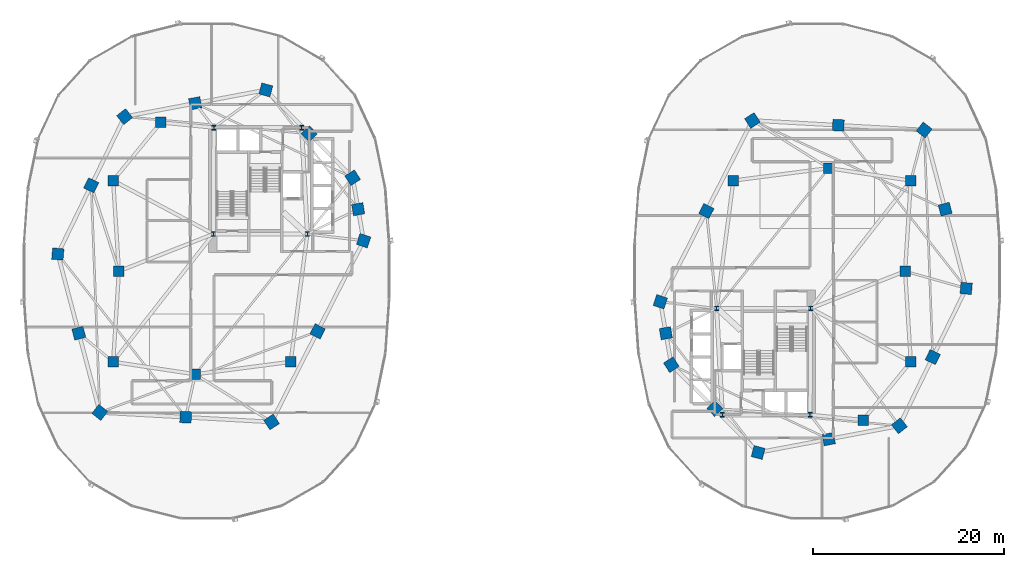
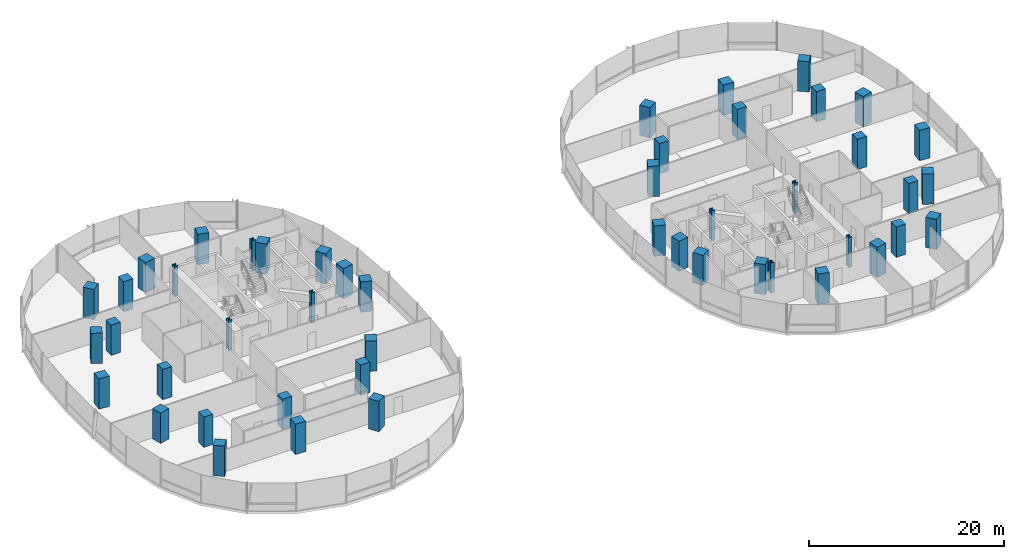
# One storey, part 1 of 21: 48 columns.
"""IFC4 building model written with IfcOpenShell, lengths in metres."""

from ifc_helpers import new_model, si_unit, direction, frame, origin, origin_2d, place, context, subcontext, project, spatial, rectangle, i_section, extrude, material, material_profile, profile_set, type_object, element, save


model = new_model("IFC4")

# Units and contexts
model_context = context("Model", 3, precision=1e-05, world=origin(), true_north=direction((0.0, 1.0)))
body_context = subcontext(model_context, "Body", "Model", "MODEL_VIEW")
ifc_project = project(units=[si_unit("LENGTHUNIT", "METRE"), si_unit("AREAUNIT", "SQUARE_METRE"), si_unit("VOLUMEUNIT", "CUBIC_METRE"), si_unit("PLANEANGLEUNIT", "RADIAN"), si_unit("MASSUNIT", "GRAM", prefix="KILO"), si_unit("THERMODYNAMICTEMPERATUREUNIT", "KELVIN"), si_unit("POWERUNIT", "WATT")], contexts=[model_context])

# Site, building, storey
site_placement = place(None, origin())
site = spatial("IfcSite", under=ifc_project, at=site_placement, CompositionType="ELEMENT")
building_placement = place(site_placement, origin())
building = spatial("IfcBuilding", under=site, at=building_placement, Name="Cundina Bronze Exchange", CompositionType="ELEMENT")
storey_placement = place(building_placement, frame((0.0, 0.0, 58.199951171875)))
storey = spatial("IfcBuildingStorey", under=building, at=storey_placement, Name="L14", CompositionType="ELEMENT", Elevation=58.199951171875)

# Columns
ifc_material_1 = material(Name="Steel ASTM A992 Grade 50", Category="steel")
ifc_material_profile_1 = material_profile(ifc_material_1, i_section(OverallWidth=0.431884765625, OverallDepth=0.498046875, WebThickness=0.0556640625, FlangeThickness=0.0888671875, FilletRadius=0.01806640625, at=origin_2d()), Name="W14X500", Category="steel")
ifc_profile_set_1 = profile_set([ifc_material_profile_1], Name="Steel ASTM A992 Grade 50")
column_type_1 = type_object("IfcColumnType", Name="COL-STL-W14A", PredefinedType="COLUMN", material=ifc_profile_set_1)
for number, where, z_axis, x_axis, name in (
    (1, (-31.300048828125, 3.89990234375, 0.0), (0.0, 0.0, 1.0), (1.0, 0.0, 0.0), "L14 Core Anchor Column W1"),
    (2, (-21.449951171875, 3.89990234375, 0.0), (0.0, 0.0, 1.0), (1.0, 0.0, 0.0), "L14 Core Anchor Column W2"),
    (3, (-22.050048828125, 15.050048828125, 0.0), (0.0, 0.0, 1.0), (1.0, 0.0, 0.0), "L14 Core Anchor Column W3"),
    (4, (-31.25, 15.050048828125, 0.0), (0.0, 0.0, 1.0), (1.0, 0.0, 0.0), "L14 Core Anchor Column W4"),
    (5, (31.300048828125, -3.89990234375, 0.0), (0.0, 0.0, 1.0), (1.0, 0.0, 0.0), "L14 Core Anchor Column E1"),
    (6, (21.449951171875, -3.89990234375, 0.0), (0.0, 0.0, 1.0), (1.0, 0.0, 0.0), "L14 Core Anchor Column E2"),
    (7, (22.050048828125, -15.050048828125, 0.0), (0.0, 0.0, 1.0), (1.0, 0.0, 0.0), "L14 Core Anchor Column E3"),
    (8, (31.25, -15.050048828125, 0.0), (0.0, 0.0, 1.0), (1.0, 0.0, 0.0), "L14 Core Anchor Column E4"),
):
    element("IfcColumn", number, at=place(storey_placement, frame(where, z_axis=z_axis, x_axis=x_axis)), inside=storey, type_object=column_type_1, Name=name, PredefinedType="COLUMN", context=body_context, shape_type="SweptSolid", body=[
        extrude(i_section(OverallWidth=0.431884765625, OverallDepth=0.498046875, WebThickness=0.0556640625, FlangeThickness=0.0888671875, FilletRadius=0.01806640625, at=origin_2d()), origin(), (0.0, 0.0, 1.0), 3.800048828125),
    ])
ifc_material_2 = material(Name="Concrete C60/75", Category="concrete")
ifc_material_profile_2 = material_profile(ifc_material_2, rectangle(XDim=1.199951171875, YDim=1.199951171875, at=origin_2d()), Name="RC1200X1200", Category="concrete")
ifc_profile_set_2 = profile_set([ifc_material_profile_2], Name="Concrete C60/75")
column_type_2 = type_object("IfcColumnType", Name="COL-Z1-1200", PredefinedType="COLUMN", material=ifc_profile_set_2)
for number, where, z_axis, x_axis, name in (
    (9, (-15.550048828125, 3.199951171875, 0.0), (0.0, 0.0, 1.0), (0.315152163383, 0.949041155016, 0.0), "L14 W Perimeter Column 00"),
    (10, (-16.125, 6.5, 0.0), (0.0, 0.0, 1.0), (-0.171585221787, 0.985169280715, 0.0), "L14 W Perimeter Column 01"),
    (11, (-16.699951171875, 9.800048828125, 0.0), (0.0, 0.0, 1.0), (-0.544199833495, 0.838955625301, 0.0), "L14 W Perimeter Column 02"),
    (12, (-21.25, 14.39990234375, 0.0), (0.0, 0.0, 1.0), (-0.703270634186, 0.710922228581, 0.0), "L14 W Perimeter Column 03"),
    (13, (-25.800048828125, 19.0, 0.0), (0.0, 0.0, 1.0), (-0.965970984022, 0.258650455301, 0.0), "L14 W Perimeter Column 04"),
    (14, (-33.199951171875, 17.60009765625, 0.0), (0.0, 0.0, 1.0), (-0.98258037664, -0.185838110843, 0.0), "L14 W Perimeter Column 05"),
    (15, (-40.60009765625, 16.199951171875, 0.0), (0.0, 0.0, 1.0), (-0.785100778485, -0.619368038909, 0.0), "L14 W Perimeter Column 06"),
    (16, (-44.10009765625, 9.0, 0.0), (0.0, 0.0, 1.0), (-0.437115766651, -0.899405251566, 0.0), "L14 W Perimeter Column 07"),
    (17, (-47.60009765625, 1.800048828125, 0.0), (0.0, 0.0, 1.0), (-0.083503921245, -0.996507448611, 0.0), "L14 W Perimeter Column 08"),
    (18, (-45.39990234375, -6.5, 0.0), (0.0, 0.0, 1.0), (0.256289373133, -0.966600102017, 0.0), "L14 W Perimeter Column 09"),
    (19, (-43.199951171875, -14.800048828125, 0.0), (0.0, 0.0, 1.0), (0.786288432137, -0.61785961309, 0.0), "L14 W Perimeter Column 10"),
    (20, (-34.199951171875, -15.300048828125, 0.0), (0.0, 0.0, 1.0), (0.998460188734, -0.055472980025, 0.0), "L14 W Perimeter Column 11"),
    (21, (-25.199951171875, -15.800048828125, 0.0), (0.0, 0.0, 1.0), (0.838099763533, 0.545516989988, 0.0), "L14 W Perimeter Column 12"),
    (22, (-20.375, -6.300048828125, 0.0), (0.0, 0.0, 1.0), (0.452901591366, 0.891560513111, 0.0), "L14 W Perimeter Column 13"),
    (23, (15.550048828125, -3.199951171875, 0.0), (0.0, 0.0, 1.0), (-0.315152163383, -0.949041155016, 0.0), "L14 E Perimeter Column 00"),
    (24, (16.125, -6.5, 0.0), (0.0, 0.0, 1.0), (0.171585221787, -0.985169280715, 0.0), "L14 E Perimeter Column 01"),
    (25, (16.699951171875, -9.800048828125, 0.0), (0.0, 0.0, 1.0), (0.544199833495, -0.838955625301, 0.0), "L14 E Perimeter Column 02"),
    (26, (21.25, -14.39990234375, 0.0), (0.0, 0.0, 1.0), (0.703270634186, -0.710922228581, 0.0), "L14 E Perimeter Column 03"),
    (27, (25.800048828125, -19.0, 0.0), (0.0, 0.0, 1.0), (0.965970984022, -0.258650455301, 0.0), "L14 E Perimeter Column 04"),
    (28, (33.199951171875, -17.60009765625, 0.0), (0.0, 0.0, 1.0), (0.98258037664, 0.185838110843, 0.0), "L14 E Perimeter Column 05"),
    (29, (40.60009765625, -16.199951171875, 0.0), (0.0, 0.0, 1.0), (0.785100778485, 0.619368038909, 0.0), "L14 E Perimeter Column 06"),
    (30, (44.10009765625, -9.0, 0.0), (0.0, 0.0, 1.0), (0.437115766651, 0.899405251566, 0.0), "L14 E Perimeter Column 07"),
    (31, (47.60009765625, -1.800048828125, 0.0), (0.0, 0.0, 1.0), (0.083503921245, 0.996507448611, 0.0), "L14 E Perimeter Column 08"),
    (32, (45.39990234375, 6.5, 0.0), (0.0, 0.0, 1.0), (-0.256289373133, 0.966600102017, 0.0), "L14 E Perimeter Column 09"),
    (33, (43.199951171875, 14.800048828125, 0.0), (0.0, 0.0, 1.0), (-0.786288432137, 0.61785961309, 0.0), "L14 E Perimeter Column 10"),
    (34, (34.199951171875, 15.300048828125, 0.0), (0.0, 0.0, 1.0), (-0.998460188734, 0.055472980025, 0.0), "L14 E Perimeter Column 11"),
    (35, (25.199951171875, 15.800048828125, 0.0), (0.0, 0.0, 1.0), (-0.838099763533, -0.545516989988, 0.0), "L14 E Perimeter Column 12"),
    (36, (20.375, 6.300048828125, 0.0), (0.0, 0.0, 1.0), (-0.452901591366, -0.891560513111, 0.0), "L14 E Perimeter Column 13"),
):
    element("IfcColumn", number, at=place(storey_placement, frame(where, z_axis=z_axis, x_axis=x_axis)), inside=storey, type_object=column_type_2, Name=name, PredefinedType="COLUMN", context=body_context, shape_type="SweptSolid", body=[
        extrude(rectangle(XDim=1.199951171875, YDim=1.199951171875, at=origin_2d()), origin(), (0.0, 0.0, 1.0), 3.800048828125),
    ])
ifc_material_profile_3 = material_profile(ifc_material_2, rectangle(XDim=1.10009765625, YDim=1.10009765625, at=origin_2d()), Name="RC1100X1100", Category="concrete")
ifc_profile_set_3 = profile_set([ifc_material_profile_3], Name="Concrete C60/75")
column_type_3 = type_object("IfcColumnType", Name="COL-Z2-1100", PredefinedType="COLUMN", material=ifc_profile_set_3)
for number, where, z_axis, x_axis, name in (
    (37, (-41.199951171875, 0.0, 0.0), (0.0, 0.0, 1.0), (1.0, 0.0, 0.0), "L14 W Inner Ring Column 1"),
    (38, (-41.800048828125, 9.5, 0.0), (0.0, 0.0, 1.0), (1.0, 0.0, 0.0), "L14 W Inner Ring Column 2"),
    (39, (-36.800048828125, 15.60009765625, 0.0), (0.0, 0.0, 1.0), (1.0, 0.0, 0.0), "L14 W Inner Ring Column 3"),
    (40, (-41.800048828125, -9.5, 0.0), (0.0, 0.0, 1.0), (1.0, 0.0, 0.0), "L14 W Inner Ring Column 4"),
    (41, (-33.199951171875, -10.800048828125, 0.0), (0.0, 0.0, 1.0), (1.0, 0.0, 0.0), "L14 W Inner Ring Column 5"),
    (42, (-23.199951171875, -9.5, 0.0), (0.0, 0.0, 1.0), (1.0, 0.0, 0.0), "L14 W Inner Ring Column 6"),
    (43, (41.199951171875, 0.0, 0.0), (0.0, 0.0, 1.0), (1.0, 0.0, 0.0), "L14 E Inner Ring Column 1"),
    (44, (41.800048828125, -9.5, 0.0), (0.0, 0.0, 1.0), (1.0, 0.0, 0.0), "L14 E Inner Ring Column 2"),
    (45, (36.800048828125, -15.60009765625, 0.0), (0.0, 0.0, 1.0), (1.0, 0.0, 0.0), "L14 E Inner Ring Column 3"),
    (46, (41.800048828125, 9.5, 0.0), (0.0, 0.0, 1.0), (1.0, 0.0, 0.0), "L14 E Inner Ring Column 4"),
    (47, (33.199951171875, 10.800048828125, 0.0), (0.0, 0.0, 1.0), (1.0, 0.0, 0.0), "L14 E Inner Ring Column 5"),
    (48, (23.199951171875, 9.5, 0.0), (0.0, 0.0, 1.0), (1.0, 0.0, 0.0), "L14 E Inner Ring Column 6"),
):
    element("IfcColumn", number, at=place(storey_placement, frame(where, z_axis=z_axis, x_axis=x_axis)), inside=storey, type_object=column_type_3, Name=name, PredefinedType="COLUMN", context=body_context, shape_type="SweptSolid", body=[
        extrude(rectangle(XDim=1.10009765625, YDim=1.10009765625, at=origin_2d()), origin(), (0.0, 0.0, 1.0), 3.800048828125),
    ])

save(model, "model.ifc")
